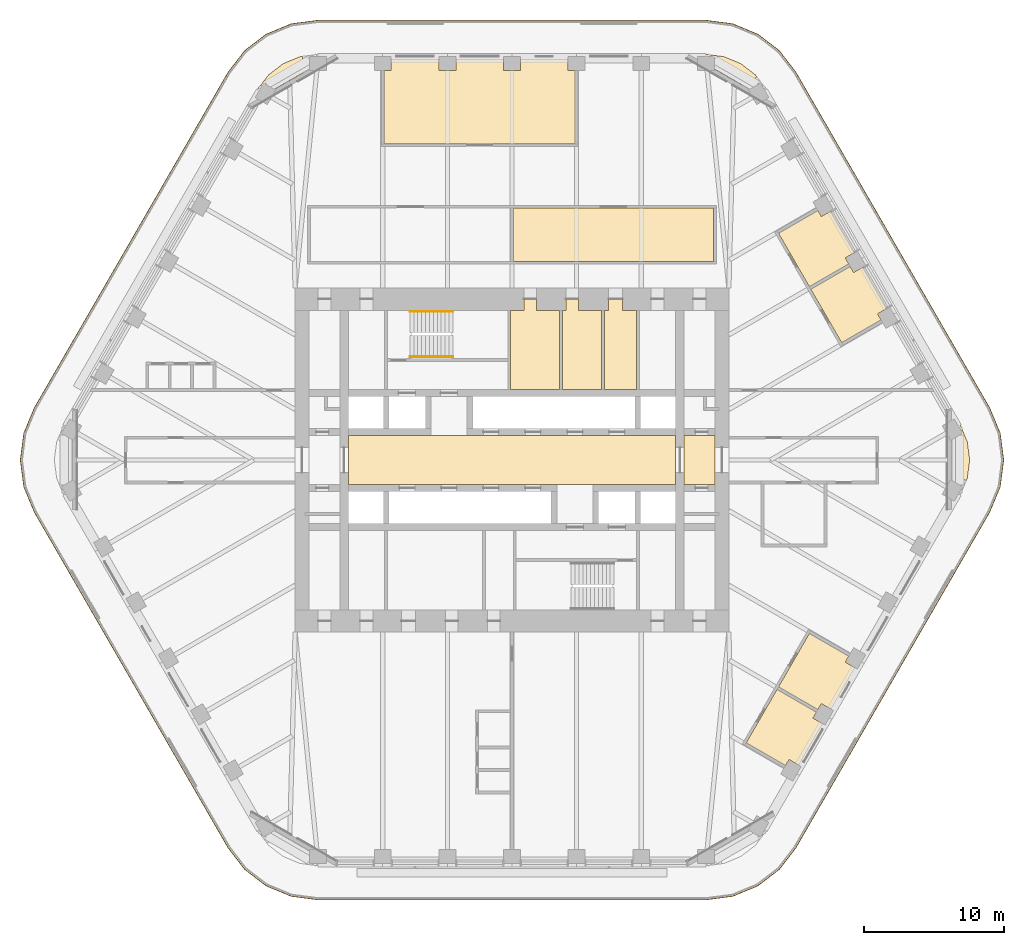
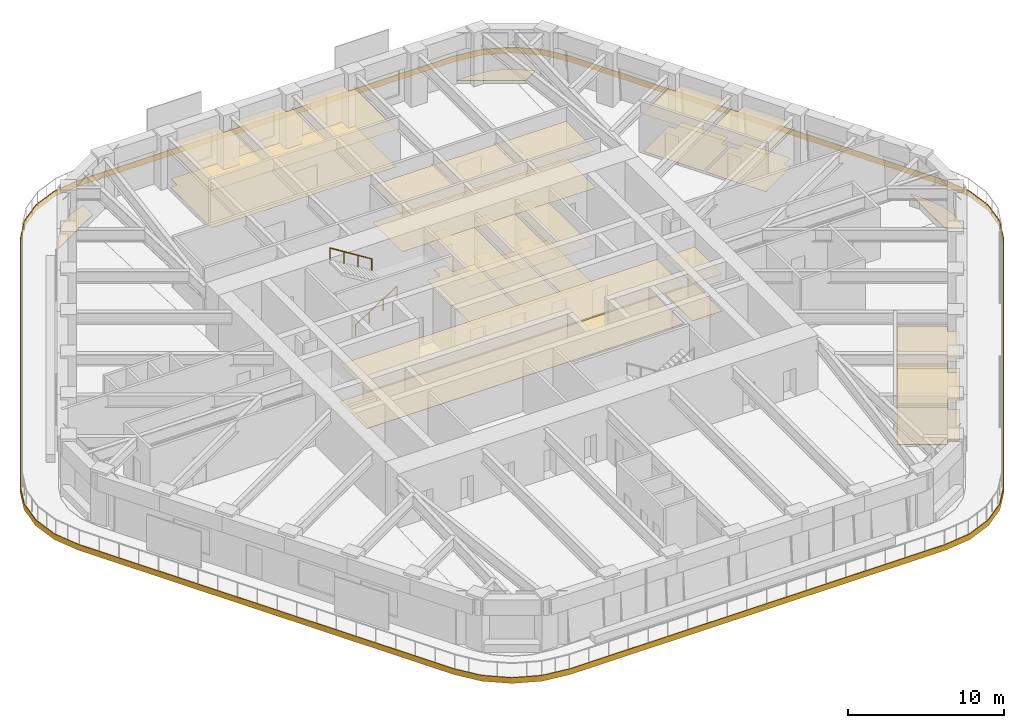
# One storey, part 19 of 20: 16 coverings, 2 railings.
"""IFC4 building model written with IfcOpenShell, lengths in metres."""

from ifc_helpers import new_model, si_unit, direction, frame, origin, origin_2d, place, context, subcontext, project, spatial, polyline, circle, outline, extrude, material, layer, layer_set, type_object, element, save


model = new_model("IFC4")

# Units and contexts
model_context = context("Model", 3, precision=1e-05, world=origin(), true_north=direction((0.0, 1.0)))
body_context = subcontext(model_context, "Body", "Model", "MODEL_VIEW")
ifc_project = project(units=[si_unit("LENGTHUNIT", "METRE"), si_unit("AREAUNIT", "SQUARE_METRE"), si_unit("VOLUMEUNIT", "CUBIC_METRE"), si_unit("PLANEANGLEUNIT", "RADIAN"), si_unit("MASSUNIT", "GRAM", prefix="KILO")], contexts=[model_context])

# Site, building, storey
site_placement = place(None, origin())
site = spatial("IfcSite", under=ifc_project, at=site_placement, CompositionType="ELEMENT")
building_placement = place(site_placement, origin())
building = spatial("IfcBuilding", under=site, at=building_placement, Name="Tarfa Lantern Tower", CompositionType="ELEMENT")
storey_placement = place(building_placement, frame((0.0, 0.0, 270.10009765625)))
storey = spatial("IfcBuildingStorey", under=building, at=storey_placement, Name="L61", CompositionType="ELEMENT", Elevation=270.10009765625)

# Coverings
ifc_material_1 = material(Name="Mineral fibre acoustic tile on suspension grid", Category="finish")
ifc_layer_1 = layer(ifc_material_1, 0.02001953125)
ifc_layer_set_1 = layer_set([ifc_layer_1], Name="CL1 ACOUSTIC TILE CEILING 20")
covering_type_1 = type_object("IfcCoveringType", Name="CL1 ACOUSTIC TILE CEILING 20", PredefinedType="CEILING", material=ifc_layer_set_1)
covering_1_placement = place(storey_placement, frame((0.0, 0.0, 2.89990234375)))
element("IfcCovering", 1, at=covering_1_placement, inside=storey, type_object=covering_type_1, Name="Ceiling L61 CL1", PredefinedType="CEILING", context=body_context, shape_type="SweptSolid", body=[
    extrude(outline(polyline([(4.518798828125, 22.60009765625), (-9.1376953125, 22.60009765625), (-9.1376953125, 27.85009765625), (-8.6376953125, 27.85009765625), (-8.6376953125, 28.64990234375), (-5.21875, 28.64990234375), (-5.21875, 27.85009765625), (-4.018798828125, 27.85009765625), (-4.018798828125, 28.64990234375), (-0.60009765625, 28.64990234375), (-0.60009765625, 27.85009765625), (0.60009765625, 27.85009765625), (0.60009765625, 28.64990234375), (4.018798828125, 28.64990234375), (4.018798828125, 27.85009765625), (4.518798828125, 27.85009765625), (4.518798828125, 22.60009765625)])), origin(), (0.0, 0.0, 1.0), 0.02001953125),
    extrude(outline(polyline([(21.354248046875, 12.21337890625), (24.168701171875, 13.83837890625), (24.418701171875, 13.4052734375), (25.111572265625, 13.805419921875), (26.821044921875, 10.8447265625), (26.128173828125, 10.444580078125), (26.378173828125, 10.01171875), (23.563720703125, 8.38671875), (21.354248046875, 12.21337890625)])), origin(), (0.0, 0.0, 1.0), 0.02001953125),
    extrude(outline(polyline([(19.044921875, 16.21337890625), (21.859375, 17.83837890625), (22.109375, 17.4052734375), (22.80224609375, 17.805419921875), (24.51171875, 14.8447265625), (23.81884765625, 14.444580078125), (24.06884765625, 14.01171875), (21.254150390625, 12.38671875), (19.044921875, 16.21337890625)])), origin(), (0.0, 0.0, 1.0), 0.02001953125),
    extrude(outline(polyline([(18.94482421875, -16.38671875), (21.759521484375, -18.01171875), (21.509521484375, -18.444580078125), (22.2021484375, -18.8447265625), (20.492919921875, -21.805419921875), (19.800048828125, -21.4052734375), (19.550048828125, -21.83837890625), (16.7353515625, -20.21337890625), (18.94482421875, -16.38671875)])), origin(), (0.0, 0.0, 1.0), 0.02001953125),
    extrude(outline(polyline([(21.254150390625, -12.38671875), (24.06884765625, -14.01171875), (23.81884765625, -14.444580078125), (24.51171875, -14.8447265625), (22.80224609375, -17.805419921875), (22.109375, -17.4052734375), (21.859375, -17.83837890625), (19.044921875, -16.21337890625), (21.254150390625, -12.38671875)])), origin(), (0.0, 0.0, 1.0), 0.02001953125),
    extrude(outline(polyline([(0.10009765625, 18.0), (14.39990234375, 18.0), (14.39990234375, 14.199951171875), (0.10009765625, 14.199951171875), (0.10009765625, 18.0)])), origin(), (0.0, 0.0, 1.0), 0.02001953125),
])
ifc_material_2 = material(Name="Moisture-resistant plasterboard", Category="finish")
ifc_layer_2 = layer(ifc_material_2, 0.014892578125)
ifc_layer_set_2 = layer_set([ifc_layer_2], Name="CL2 MOISTURE-RESISTANT PLASTERBOARD CEILING 15")
covering_type_2 = type_object("IfcCoveringType", Name="CL2 MOISTURE-RESISTANT PLASTERBOARD CEILING 15", PredefinedType="CEILING", material=ifc_layer_set_2)
covering_2_placement = place(storey_placement, frame((0.0, 0.0, 2.89990234375)))
element("IfcCovering", 2, at=covering_2_placement, inside=storey, type_object=covering_type_2, Name="Ceiling L61-07", PredefinedType="CEILING", context=body_context, shape_type="SweptSolid", body=[
    extrude(outline(polyline([(0.85009765625, 10.699951171875), (-0.10009765625, 10.699951171875), (-0.10009765625, 5.050048828125), (3.39990234375, 5.050048828125), (3.39990234375, 10.699951171875), (1.75, 10.699951171875), (1.75, 11.5), (0.85009765625, 11.5), (0.85009765625, 11.5), (0.85009765625, 10.699951171875)])), origin(), (0.0, 0.0, 1.0), 0.014892578125),
])
covering_3_placement = place(storey_placement, frame((0.0, 0.0, 2.89990234375)))
element("IfcCovering", 3, at=covering_3_placement, inside=storey, type_object=covering_type_2, Name="Ceiling L61-08", PredefinedType="CEILING", context=body_context, shape_type="SweptSolid", body=[
    extrude(outline(polyline([(3.60009765625, 5.050048828125), (6.39990234375, 5.050048828125), (6.39990234375, 10.699951171875), (4.75, 10.699951171875), (4.75, 11.5), (3.85009765625, 11.5), (3.85009765625, 10.699951171875), (3.60009765625, 10.699951171875), (3.60009765625, 5.050048828125)])), origin(), (0.0, 0.0, 1.0), 0.014892578125),
])
covering_4_placement = place(storey_placement, frame((0.0, 0.0, 2.89990234375)))
element("IfcCovering", 4, at=covering_4_placement, inside=storey, type_object=covering_type_2, Name="Ceiling L61-09", PredefinedType="CEILING", context=body_context, shape_type="SweptSolid", body=[
    extrude(outline(polyline([(6.60009765625, 5.050048828125), (8.89990234375, 5.050048828125), (8.89990234375, 10.699951171875), (7.89990234375, 10.699951171875), (7.89990234375, 11.5), (6.89990234375, 11.5), (6.89990234375, 10.699951171875), (6.60009765625, 10.699951171875), (6.60009765625, 5.050048828125)])), origin(), (0.0, 0.0, 1.0), 0.014892578125),
])
ifc_material_3 = material(Name="Powder-coated aluminium panel", Category="aluminium")
ifc_layer_3 = layer(ifc_material_3, 0.030029296875)
ifc_layer_set_3 = layer_set([ifc_layer_3], Name="CL3 METAL PANEL CEILING 30")
covering_type_3 = type_object("IfcCoveringType", Name="CL3 METAL PANEL CEILING 30", PredefinedType="CEILING", material=ifc_layer_set_3)
covering_5_placement = place(storey_placement, frame((0.0, 0.0, 2.89990234375)))
element("IfcCovering", 5, at=covering_5_placement, inside=storey, type_object=covering_type_3, Name="Ceiling L61-02", PredefinedType="CEILING", context=body_context, shape_type="SweptSolid", body=[
    extrude(outline(polyline([(-11.699951171875, -1.75), (11.699951171875, -1.75), (11.699951171875, 1.75), (-11.699951171875, 1.75), (-11.699951171875, -1.75)])), origin(), (0.0, 0.0, 1.0), 0.030029296875),
])
covering_6_placement = place(storey_placement, frame((0.0, 0.0, 2.89990234375)))
element("IfcCovering", 6, at=covering_6_placement, inside=storey, type_object=covering_type_3, Name="Ceiling L61-03", PredefinedType="CEILING", context=body_context, shape_type="SweptSolid", body=[
    extrude(outline(polyline([(12.300048828125, -1.75), (14.5, -1.75), (14.5, 1.75), (12.300048828125, 1.75), (12.300048828125, -1.75)])), origin(), (0.0, 0.0, 1.0), 0.030029296875),
])
ifc_material_4 = material(Name="Nylon carpet tile", Category="finish")
ifc_layer_4 = layer(ifc_material_4, 0.010009765625)
ifc_layer_set_4 = layer_set([ifc_layer_4], Name="FL1 CARPET TILE 10")
covering_type_4 = type_object("IfcCoveringType", Name="FL1 CARPET TILE 10", PredefinedType="FLOORING", material=ifc_layer_set_4)
covering_7_placement = place(storey_placement, origin())
element("IfcCovering", 7, at=covering_7_placement, inside=storey, type_object=covering_type_4, Name="Floor finish L61 FL1", PredefinedType="FLOORING", context=body_context, shape_type="SweptSolid", body=[
    extrude(outline(polyline([(4.518798828125, 22.60009765625), (-9.1376953125, 22.60009765625), (-9.1376953125, 27.85009765625), (-8.6376953125, 27.85009765625), (-8.6376953125, 28.64990234375), (-5.21875, 28.64990234375), (-5.21875, 27.85009765625), (-4.018798828125, 27.85009765625), (-4.018798828125, 28.64990234375), (-0.60009765625, 28.64990234375), (-0.60009765625, 27.85009765625), (0.60009765625, 27.85009765625), (0.60009765625, 28.64990234375), (4.018798828125, 28.64990234375), (4.018798828125, 27.85009765625), (4.518798828125, 27.85009765625), (4.518798828125, 22.60009765625)])), origin(), (0.0, 0.0, 1.0), 0.010009765625),
    extrude(outline(polyline([(21.354248046875, 12.21337890625), (24.168701171875, 13.83837890625), (24.418701171875, 13.4052734375), (25.111572265625, 13.805419921875), (26.821044921875, 10.8447265625), (26.128173828125, 10.444580078125), (26.378173828125, 10.01171875), (23.563720703125, 8.38671875), (21.354248046875, 12.21337890625)])), origin(), (0.0, 0.0, 1.0), 0.010009765625),
    extrude(outline(polyline([(19.044921875, 16.21337890625), (21.859375, 17.83837890625), (22.109375, 17.4052734375), (22.80224609375, 17.805419921875), (24.51171875, 14.8447265625), (23.81884765625, 14.444580078125), (24.06884765625, 14.01171875), (21.254150390625, 12.38671875), (19.044921875, 16.21337890625)])), origin(), (0.0, 0.0, 1.0), 0.010009765625),
    extrude(outline(polyline([(18.94482421875, -16.38671875), (21.759521484375, -18.01171875), (21.509521484375, -18.444580078125), (22.2021484375, -18.8447265625), (20.492919921875, -21.805419921875), (19.800048828125, -21.4052734375), (19.550048828125, -21.83837890625), (16.7353515625, -20.21337890625), (18.94482421875, -16.38671875)])), origin(), (0.0, 0.0, 1.0), 0.010009765625),
    extrude(outline(polyline([(21.254150390625, -12.38671875), (24.06884765625, -14.01171875), (23.81884765625, -14.444580078125), (24.51171875, -14.8447265625), (22.80224609375, -17.805419921875), (22.109375, -17.4052734375), (21.859375, -17.83837890625), (19.044921875, -16.21337890625), (21.254150390625, -12.38671875)])), origin(), (0.0, 0.0, 1.0), 0.010009765625),
    extrude(outline(polyline([(0.10009765625, 18.0), (14.39990234375, 18.0), (14.39990234375, 14.199951171875), (0.10009765625, 14.199951171875), (0.10009765625, 18.0)])), origin(), (0.0, 0.0, 1.0), 0.010009765625),
])
ifc_material_5 = material(Name="Honed limestone flooring", Category="masonry")
ifc_layer_5 = layer(ifc_material_5, 0.030029296875)
ifc_layer_set_5 = layer_set([ifc_layer_5], Name="FL2 STONE FLOORING 30")
covering_type_5 = type_object("IfcCoveringType", Name="FL2 STONE FLOORING 30", PredefinedType="FLOORING", material=ifc_layer_set_5)
covering_8_placement = place(storey_placement, origin())
element("IfcCovering", 8, at=covering_8_placement, inside=storey, type_object=covering_type_5, Name="Floor finish L61-02", PredefinedType="FLOORING", context=body_context, shape_type="SweptSolid", body=[
    extrude(outline(polyline([(-11.699951171875, -1.75), (11.699951171875, -1.75), (11.699951171875, 1.75), (-11.699951171875, 1.75), (-11.699951171875, -1.75)])), origin(), (0.0, 0.0, 1.0), 0.02978515625),
])
covering_9_placement = place(storey_placement, origin())
element("IfcCovering", 9, at=covering_9_placement, inside=storey, type_object=covering_type_5, Name="Floor finish L61-03", PredefinedType="FLOORING", context=body_context, shape_type="SweptSolid", body=[
    extrude(outline(polyline([(12.300048828125, -1.75), (14.5, -1.75), (14.5, 1.75), (12.300048828125, 1.75), (12.300048828125, -1.75)])), origin(), (0.0, 0.0, 1.0), 0.02978515625),
])
ifc_material_6 = material(Name="Porcelain floor tile", Category="finish")
ifc_layer_6 = layer(ifc_material_6, 0.011962890625)
ifc_layer_set_6 = layer_set([ifc_layer_6], Name="FL3 CERAMIC TILE 12")
covering_type_6 = type_object("IfcCoveringType", Name="FL3 CERAMIC TILE 12", PredefinedType="FLOORING", material=ifc_layer_set_6)
covering_10_placement = place(storey_placement, origin())
element("IfcCovering", 10, at=covering_10_placement, inside=storey, type_object=covering_type_6, Name="Floor finish L61-07", PredefinedType="FLOORING", context=body_context, shape_type="SweptSolid", body=[
    extrude(outline(polyline([(0.85009765625, 10.699951171875), (-0.10009765625, 10.699951171875), (-0.10009765625, 5.050048828125), (3.39990234375, 5.050048828125), (3.39990234375, 10.699951171875), (1.75, 10.699951171875), (1.75, 11.5), (0.85009765625, 11.5), (0.85009765625, 11.5), (0.85009765625, 10.699951171875)])), origin(), (0.0, 0.0, 1.0), 0.011962890625),
])
covering_11_placement = place(storey_placement, origin())
element("IfcCovering", 11, at=covering_11_placement, inside=storey, type_object=covering_type_6, Name="Floor finish L61-08", PredefinedType="FLOORING", context=body_context, shape_type="SweptSolid", body=[
    extrude(outline(polyline([(3.60009765625, 5.050048828125), (6.39990234375, 5.050048828125), (6.39990234375, 10.699951171875), (4.75, 10.699951171875), (4.75, 11.5), (3.85009765625, 11.5), (3.85009765625, 10.699951171875), (3.60009765625, 10.699951171875), (3.60009765625, 5.050048828125)])), origin(), (0.0, 0.0, 1.0), 0.011962890625),
])
covering_12_placement = place(storey_placement, origin())
element("IfcCovering", 12, at=covering_12_placement, inside=storey, type_object=covering_type_6, Name="Floor finish L61-09", PredefinedType="FLOORING", context=body_context, shape_type="SweptSolid", body=[
    extrude(outline(polyline([(6.60009765625, 5.050048828125), (8.89990234375, 5.050048828125), (8.89990234375, 10.699951171875), (7.89990234375, 10.699951171875), (7.89990234375, 11.5), (6.89990234375, 11.5), (6.89990234375, 10.699951171875), (6.60009765625, 10.699951171875), (6.60009765625, 5.050048828125)])), origin(), (0.0, 0.0, 1.0), 0.011962890625),
])

# Railings
ifc_material_7 = material(Name="Stainless steel", Category="steel")
railing_type = type_object("IfcRailingType", Name="HR1 HANDRAIL 900", PredefinedType="HANDRAIL", material=ifc_material_7)
railing_1_placement = place(storey_placement, frame((-7.300048828125, 7.3798828125, 0.1748046875)))
element("IfcRailing", 13, at=railing_1_placement, inside=storey, type_object=railing_type, Name="Handrail 1", PredefinedType="HANDRAIL", context=body_context, shape_type="SweptSolid", body=[
    extrude(circle(Radius=0.02392578125, at=origin_2d()), frame((0.0, 0.0, 0.8759765625), z_axis=(0.847998304005, 0.0, 0.529998940003), x_axis=(0.0, 1.0, 0.0)), (0.0, 0.0, 1.0), 3.632080078125),
    extrude(circle(Radius=0.02099609375, at=origin_2d()), frame((0.0, 0.0, 0.0), z_axis=(0.0, 0.0, 1.0), x_axis=(0.0, 1.0, 0.0)), (0.0, 0.0, 1.0), 0.851806640625),
    extrude(circle(Radius=0.02099609375, at=origin_2d()), frame((1.026611328125, 0.0, 0.6416015625), z_axis=(0.0, 0.0, 1.0), x_axis=(0.0, 1.0, 0.0)), (0.0, 0.0, 1.0), 0.851806640625),
    extrude(circle(Radius=0.02099609375, at=origin_2d()), frame((2.053466796875, 0.0, 1.283447265625), z_axis=(0.0, 0.0, 1.0), x_axis=(0.0, 1.0, 0.0)), (0.0, 0.0, 1.0), 0.851806640625),
    extrude(circle(Radius=0.02099609375, at=origin_2d()), frame((3.080078125, 0.0, 1.925048828125), z_axis=(0.0, 0.0, 1.0), x_axis=(0.0, 1.0, 0.0)), (0.0, 0.0, 1.0), 0.851806640625),
])
railing_2_placement = place(storey_placement, frame((-4.219970703125, 10.6201171875, 2.27490234375)))
element("IfcRailing", 14, at=railing_2_placement, inside=storey, type_object=railing_type, Name="Handrail 2", PredefinedType="HANDRAIL", context=body_context, shape_type="SweptSolid", body=[
    extrude(circle(Radius=0.02392578125, at=origin_2d()), frame((0.0, 0.0, 0.8759765625), z_axis=(-0.847998304005, 0.0, 0.529998940003), x_axis=(0.0, -1.0, 0.0)), (0.0, 0.0, 1.0), 3.632080078125),
    extrude(circle(Radius=0.02099609375, at=origin_2d()), frame((0.0, 0.0, 0.0), z_axis=(0.0, 0.0, 1.0), x_axis=(0.0, -1.0, 0.0)), (0.0, 0.0, 1.0), 0.851806640625),
    extrude(circle(Radius=0.02099609375, at=origin_2d()), frame((-1.026611328125, 0.0, 0.6416015625), z_axis=(0.0, 0.0, 1.0), x_axis=(0.0, -1.0, 0.0)), (0.0, 0.0, 1.0), 0.851806640625),
    extrude(circle(Radius=0.02099609375, at=origin_2d()), frame((-2.053466796875, 0.0, 1.283447265625), z_axis=(0.0, 0.0, 1.0), x_axis=(0.0, -1.0, 0.0)), (0.0, 0.0, 1.0), 0.851806640625),
    extrude(circle(Radius=0.02099609375, at=origin_2d()), frame((-3.080078125, 0.0, 1.925048828125), z_axis=(0.0, 0.0, 1.0), x_axis=(0.0, -1.0, 0.0)), (0.0, 0.0, 1.0), 0.851806640625),
])

# Coverings
ifc_material_8 = material(Name="Porcelain pavers on pedestals", Category="ceramic")
ifc_layer_7 = layer(ifc_material_8, 0.0400390625)
ifc_layer_set_7 = layer_set([ifc_layer_7], Name="LP1 LOGGIA PAVING 40")
covering_type_7 = type_object("IfcCoveringType", Name="LP1 LOGGIA PAVING 40", PredefinedType="FLOORING", material=ifc_layer_set_7)
covering_13_placement = place(storey_placement, origin())
element("IfcCovering", 15, at=covering_13_placement, inside=storey, type_object=covering_type_7, Name="Sky garden paving NE-N", PredefinedType="FLOORING", context=body_context, shape_type="SweptSolid", body=[
    extrude(outline(polyline([(15.150390625, 28.82958984375), (16.3564453125, 28.330078125), (17.391845703125, 27.53564453125), (17.51123046875, 27.380126953125), (16.4765625, 26.782958984375), (12.641357421875, 28.997314453125), (12.64306640625, 29.0), (13.8564453125, 29.0), (15.150390625, 28.82958984375)])), origin(), (0.0, 0.0, 1.0), 0.039794921875),
])
covering_14_placement = place(storey_placement, origin())
element("IfcCovering", 16, at=covering_14_placement, inside=storey, type_object=covering_type_7, Name="Sky garden paving N-NW", PredefinedType="FLOORING", context=body_context, shape_type="SweptSolid", body=[
    extrude(outline(polyline([(-17.391845703125, 27.53564453125), (-16.3564453125, 28.330078125), (-15.150390625, 28.82958984375), (-14.956298828125, 28.855224609375), (-14.956298828125, 27.66064453125), (-18.791748046875, 25.4462890625), (-18.793212890625, 25.44921875), (-18.1865234375, 26.5), (-17.391845703125, 27.53564453125)])), origin(), (0.0, 0.0, 1.0), 0.039794921875),
])
covering_15_placement = place(storey_placement, origin())
element("IfcCovering", 17, at=covering_15_placement, inside=storey, type_object=covering_type_7, Name="Sky garden paving SE-NE", PredefinedType="FLOORING", context=body_context, shape_type="SweptSolid", body=[
    extrude(outline(polyline([(32.54248046875, 1.294189453125), (32.712890625, 0.0), (32.54248046875, -1.294189453125), (32.467529296875, -1.474853515625), (31.43310546875, -0.877685546875), (31.43310546875, 3.55078125), (31.436279296875, 3.55078125), (32.04296875, 2.5), (32.54248046875, 1.294189453125)])), origin(), (0.0, 0.0, 1.0), 0.039794921875),
])
ifc_material_9 = material(Name="Limestone cladding on brackets", Category="masonry")
ifc_layer_8 = layer(ifc_material_9, 0.050048828125)
ifc_layer_set_8 = layer_set([ifc_layer_8], Name="SB1 STONE BAND CLADDING 50")
covering_type_8 = type_object("IfcCoveringType", Name="SB1 STONE BAND CLADDING 50", PredefinedType="CLADDING", material=ifc_layer_set_8)
covering_16_placement = place(storey_placement, frame((0.0, 0.0, -0.400146484375)))
element("IfcCovering", 18, at=covering_16_placement, inside=storey, type_object=covering_type_8, Name="Stone band", PredefinedType="CLADDING", context=body_context, shape_type="SweptSolid", body=[
    extrude(outline(polyline([(34.164794921875, 3.72509765625), (20.308349609375, 27.72509765625), (19.124267578125, 29.26806640625), (17.581298828125, 30.451904296875), (15.78466796875, 31.196044921875), (13.8564453125, 31.449951171875), (-13.8564453125, 31.449951171875), (-15.78466796875, 31.196044921875), (-17.581298828125, 30.451904296875), (-19.124267578125, 29.26806640625), (-20.308349609375, 27.72509765625), (-34.164794921875, 3.72509765625), (-34.908935546875, 1.92822265625), (-35.162841796875, 0.0), (-34.908935546875, -1.92822265625), (-34.164794921875, -3.72509765625), (-20.308349609375, -27.72509765625), (-19.124267578125, -29.26806640625), (-17.581298828125, -30.451904296875), (-15.78466796875, -31.196044921875), (-13.8564453125, -31.449951171875), (13.8564453125, -31.449951171875), (15.78466796875, -31.196044921875), (17.581298828125, -30.451904296875), (19.124267578125, -29.26806640625), (20.308349609375, -27.72509765625), (34.164794921875, -3.72509765625), (34.908935546875, -1.92822265625), (35.162841796875, 0.0), (34.908935546875, 1.92822265625), (34.164794921875, 3.72509765625)]), holes=[polyline([(34.121337890625, 3.699951171875), (20.264892578125, 27.699951171875), (19.089111328125, 29.232666015625), (17.556396484375, 30.40869140625), (15.771728515625, 31.14794921875), (13.8564453125, 31.39990234375), (-13.8564453125, 31.39990234375), (-15.771728515625, 31.14794921875), (-17.556396484375, 30.40869140625), (-19.089111328125, 29.232666015625), (-20.264892578125, 27.699951171875), (-34.121337890625, 3.699951171875), (-34.860595703125, 1.915283203125), (-35.11279296875, 0.0), (-34.860595703125, -1.915283203125), (-34.121337890625, -3.699951171875), (-20.264892578125, -27.699951171875), (-19.089111328125, -29.232666015625), (-17.556396484375, -30.40869140625), (-15.771728515625, -31.14794921875), (-13.8564453125, -31.39990234375), (13.8564453125, -31.39990234375), (15.771728515625, -31.14794921875), (17.556396484375, -30.40869140625), (19.089111328125, -29.232666015625), (20.264892578125, -27.699951171875), (34.121337890625, -3.699951171875), (34.860595703125, -1.915283203125), (35.11279296875, 0.0), (34.860595703125, 1.915283203125), (34.121337890625, 3.699951171875)])]), origin(), (0.0, 0.0, 1.0), 0.449951171875),
])

save(model, "model.ifc")
